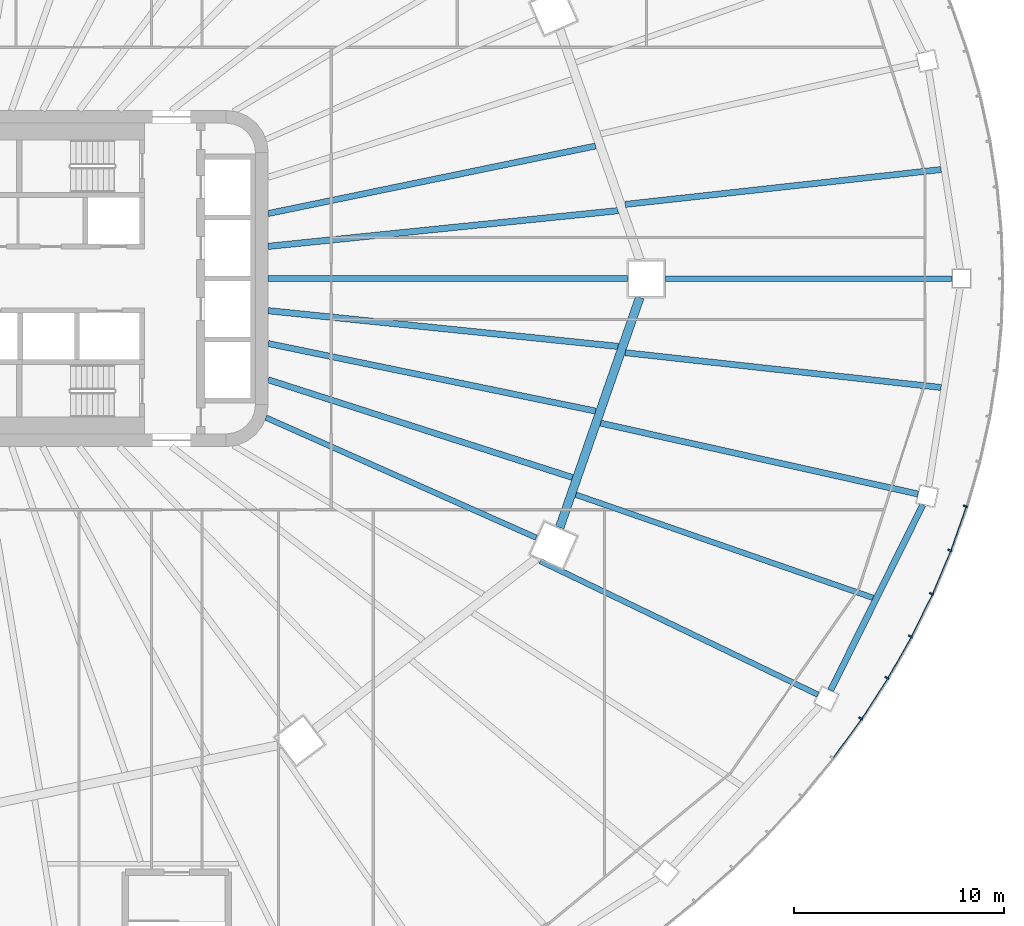
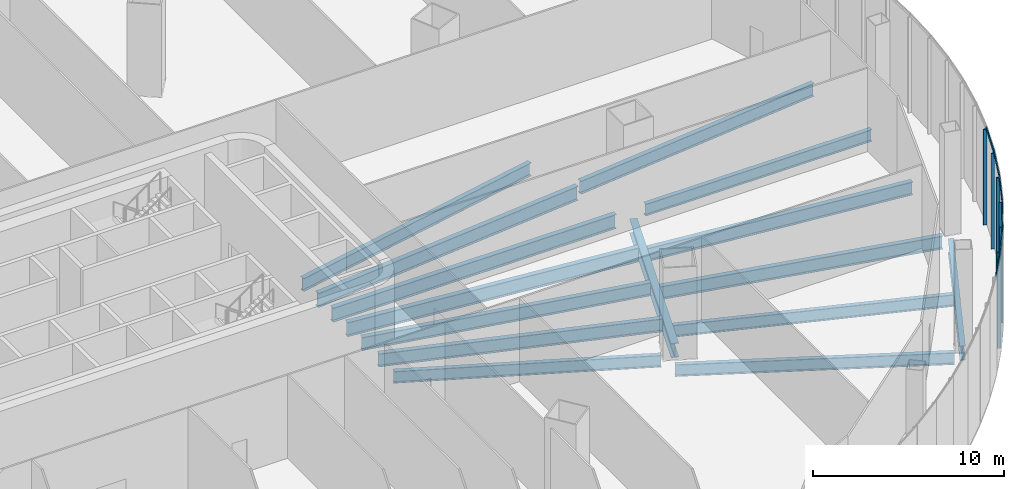
# One storey, part 10 of 33: 15 beams, 12 members, 3 elements without a shape of their own.
"""IFC4 building model written with IfcOpenShell, lengths in metres."""

from ifc_helpers import new_model, si_unit, direction, frame, origin, origin_2d, place, context, subcontext, project, spatial, rectangle, i_section, extrude, material, layer, layer_set, material_profile, profile_set, type_object, element, aggregate, save


model = new_model("IFC4")

# Units and contexts
model_context = context("Model", 3, precision=1e-05, world=origin(), true_north=direction((0.0, 1.0)))
body_context = subcontext(model_context, "Body", "Model", "MODEL_VIEW")
ifc_project = project(units=[si_unit("LENGTHUNIT", "METRE"), si_unit("AREAUNIT", "SQUARE_METRE"), si_unit("VOLUMEUNIT", "CUBIC_METRE"), si_unit("PLANEANGLEUNIT", "RADIAN"), si_unit("MASSUNIT", "GRAM", prefix="KILO")], contexts=[model_context])

# Site, building, storey
site_placement = place(None, origin())
site = spatial("IfcSite", under=ifc_project, at=site_placement, CompositionType="ELEMENT")
building_placement = place(site_placement, origin())
building = spatial("IfcBuilding", under=site, at=building_placement, Name="Sahrelin Media Tower", CompositionType="ELEMENT")
storey_placement = place(building_placement, frame((0.0, 0.0, 37.39990234375)))
storey = spatial("IfcBuildingStorey", under=building, at=storey_placement, Name="L05", CompositionType="ELEMENT", Elevation=37.39990234375)

# Curtain wall, members
ifc_material_1 = material(Name="Champagne anodised aluminium 6063-T6", Category="aluminium")
ifc_layer = layer(ifc_material_1, 0.14990234375)
ifc_layer_set = layer_set([ifc_layer], Name="Podium ribbon curtain wall")
curtain_wall_type = type_object("IfcCurtainWallType", Name="Podium ribbon curtain wall", PredefinedType="NOTDEFINED", material=ifc_layer_set)
curtain_wall_1_placement = place(storey_placement, frame((43.30126953125, -21.0, 0.0), z_axis=(0.0, 0.0, 1.0), x_axis=(1.0, 0.0, 0.0)))
curtain_wall_1 = element("IfcCurtainWall", 1, at=curtain_wall_1_placement, inside=storey, type_object=curtain_wall_type, Name="L05:CW:L05-P22", PredefinedType="NOTDEFINED")
ifc_material_profile_1 = material_profile(ifc_material_1, rectangle(XDim=0.080078125, YDim=0.199951171875, at=origin_2d()), Name="Mullion 80x200")
ifc_profile_set_1 = profile_set([ifc_material_profile_1], Name="Champagne anodised aluminium 6063-T6")
member_type_1 = type_object("IfcMemberType", Name="Mullion 80x200 CW5", PredefinedType="MULLION", material=ifc_profile_set_1)
member_1_placement = place(storey_placement, frame((43.200439453125, -20.934814453125, 0.0), z_axis=(0.0, 0.0, 1.0), x_axis=(0.542830032192, 0.839842578196, 0.0)))
member_1 = element("IfcMember", 2, at=member_1_placement, type_object=member_type_1, Name="L05:CWM1:L05-P22", PredefinedType="MULLION", context=body_context, shape_type="SweptSolid", body=[
    extrude(rectangle(XDim=0.080078125, YDim=0.199951171875, at=origin_2d()), origin(), (0.0, 0.0, 1.0), 6.10009765625),
])
member_2_placement = place(storey_placement, frame((44.446044921875, -19.00830078125, 0.0), z_axis=(0.0, 0.0, 1.0), x_axis=(0.493787068155, 0.869582849028, 0.0)))
member_2 = element("IfcMember", 3, at=member_2_placement, type_object=member_type_1, Name="L05:CWM2:L05-P22", PredefinedType="MULLION", context=body_context, shape_type="SweptSolid", body=[
    extrude(rectangle(XDim=0.080078125, YDim=0.199951171875, at=origin_2d()), origin(), (0.0, 0.0, 1.0), 6.10009765625),
])
member_3_placement = place(storey_placement, frame((45.569580078125, -17.02978515625, 0.0), z_axis=(0.0, 0.0, 1.0), x_axis=(0.442262079274, 0.896885864108, 0.0)))
member_3 = element("IfcMember", 4, at=member_3_placement, type_object=member_type_1, Name="L05:CWM3:L05-P22", PredefinedType="MULLION", context=body_context, shape_type="SweptSolid", body=[
    extrude(rectangle(XDim=0.080078125, YDim=0.199951171875, at=origin_2d()), origin(), (0.0, 0.0, 1.0), 6.10009765625),
])
member_4_placement = place(storey_placement, frame((46.568359375, -15.0048828125, 0.0), z_axis=(0.0, 0.0, 1.0), x_axis=(0.388450189752, 0.921469722824, 0.0)))
member_4 = element("IfcMember", 5, at=member_4_placement, type_object=member_type_1, Name="L05:CWM4:L05-P22", PredefinedType="MULLION", context=body_context, shape_type="SweptSolid", body=[
    extrude(rectangle(XDim=0.080078125, YDim=0.199951171875, at=origin_2d()), origin(), (0.0, 0.0, 1.0), 6.10009765625),
])
member_5_placement = place(storey_placement, frame((47.439697265625, -12.938720703125, 0.0), z_axis=(0.0, 0.0, 1.0), x_axis=(0.332579242691, 0.943075313711, 0.0)))
member_5 = element("IfcMember", 6, at=member_5_placement, type_object=member_type_1, Name="L05:CWM5:L05-P22", PredefinedType="MULLION", context=body_context, shape_type="SweptSolid", body=[
    extrude(rectangle(XDim=0.080078125, YDim=0.199951171875, at=origin_2d()), origin(), (0.0, 0.0, 1.0), 6.10009765625),
])

# Curtain wall, member
curtain_wall_2_placement = place(storey_placement, frame((48.29638671875, -10.870361328125, 0.0), z_axis=(0.0, 0.0, 1.0), x_axis=(1.0, 0.0, 0.0)))
curtain_wall_2 = element("IfcCurtainWall", 7, at=curtain_wall_2_placement, inside=storey, type_object=curtain_wall_type, Name="L05:CW:L05-P23", PredefinedType="NOTDEFINED")
member_6_placement = place(storey_placement, frame((48.180908203125, -10.83740234375, 0.0), z_axis=(0.0, 0.0, 1.0), x_axis=(0.274810138831, 0.961498511489, 0.0)))
member_6 = element("IfcMember", 8, at=member_6_placement, type_object=member_type_1, Name="L05:CWM1:L05-P23", PredefinedType="MULLION", context=body_context, shape_type="SweptSolid", body=[
    extrude(rectangle(XDim=0.080078125, YDim=0.199951171875, at=origin_2d()), origin(), (0.0, 0.0, 1.0), 6.10009765625),
])
aggregate(curtain_wall_2, [member_6])

# Beams
ifc_material_2 = material(Name="Steel S355", Category="steel")
ifc_material_profile_2 = material_profile(ifc_material_2, i_section(OverallWidth=0.30322265625, OverallDepth=0.903076171875, WebThickness=0.01513671875, FlangeThickness=0.020263671875, FilletRadius=0.01904296875, at=origin_2d()), Name="UB 914x305x201")
ifc_profile_set_2 = profile_set([ifc_material_profile_2], Name="Steel S355")
beam_type_1 = type_object("IfcBeamType", Name="Podium edge girder PE11", PredefinedType="BEAM", material=ifc_profile_set_2)
beam_1_placement = place(storey_placement, frame((41.76953125, -19.596923828125, -0.6513671875), z_axis=(0.445112588569, 0.895474613541, 0.0), x_axis=(-0.895474613541, 0.445112588569, 0.0)))
element("IfcBeam", 9, at=beam_1_placement, inside=storey, type_object=beam_type_1, Name="Podium edge girder L05-23", PredefinedType="BEAM", context=body_context, shape_type="SweptSolid", body=[
    extrude(i_section(OverallWidth=0.30322265625, OverallDepth=0.903076171875, WebThickness=0.01513671875, FlangeThickness=0.020263671875, FilletRadius=0.01904296875, at=origin_2d()), origin(), (0.0, 0.0, 1.0), 9.859619140625),
])
ifc_material_profile_3 = material_profile(ifc_material_2, i_section(OverallWidth=0.41845703125, OverallDepth=0.911865234375, WebThickness=0.019287109375, FlangeThickness=0.031982421875, FilletRadius=0.024169921875, at=origin_2d()), Name="UB 914x419x343")
ifc_profile_set_3 = profile_set([ifc_material_profile_3], Name="Steel S355")
beam_type_2 = type_object("IfcBeamType", Name="Podium ring girder PG12", PredefinedType="BEAM", material=ifc_profile_set_3)
beam_2_placement = place(storey_placement, frame((28.875732421875, -11.84716796875, -0.65576171875), z_axis=(0.328773851324, 0.944408679908, 0.0), x_axis=(-0.944408679908, 0.328773851324, 0.0)))
element("IfcBeam", 10, at=beam_2_placement, inside=storey, type_object=beam_type_2, Name="Podium girder L05-12", PredefinedType="BEAM", context=body_context, shape_type="SweptSolid", body=[
    extrude(i_section(OverallWidth=0.41845703125, OverallDepth=0.911865234375, WebThickness=0.019287109375, FlangeThickness=0.031982421875, FilletRadius=0.024169921875, at=origin_2d()), origin(), (0.0, 0.0, 1.0), 11.591552734375),
])
ifc_material_profile_4 = material_profile(ifc_material_2, i_section(OverallWidth=0.291748046875, OverallDepth=0.8349609375, WebThickness=0.013916015625, FlangeThickness=0.018798828125, FilletRadius=0.017822265625, at=origin_2d()), Name="UB 838x292x176")
ifc_profile_set_4 = profile_set([ifc_material_profile_4], Name="Steel S355")
beam_type_3 = type_object("IfcBeamType", Name="Radial primary beam PB10", PredefinedType="BEAM", material=ifc_profile_set_4)
for number, where, z_axis, x_axis, name in (
    (11, (15.0, 3.093505859375, -0.617431640625), (0.979386832716, 0.201993643221, 0.0), (-0.201993643221, 0.979386832716, 0.0), "Radial beam L05-02"),
    (12, (15.0, -3.093505859375, -0.617431640625), (0.979386832716, -0.201993643221, 0.0), (0.201993643221, 0.979386832716, 0.0), "Radial beam L05-24"),
):
    element("IfcBeam", number, at=place(storey_placement, frame(where, z_axis=z_axis, x_axis=x_axis)), inside=storey, type_object=beam_type_3, Name=name, PredefinedType="BEAM", context=body_context, shape_type="SweptSolid", body=[
        extrude(i_section(OverallWidth=0.291748046875, OverallDepth=0.8349609375, WebThickness=0.013916015625, FlangeThickness=0.018798828125, FilletRadius=0.017822265625, at=origin_2d()), origin(), (0.0, 0.0, 1.0), 15.91064453125),
    ])
beam_3_placement = place(storey_placement, frame((30.825439453125, -6.883056640625, -0.617431640625), z_axis=(0.975966755314, -0.217919463385, 0.0), x_axis=(0.217919463385, 0.975966755314, 0.0)))
element("IfcBeam", 13, at=beam_3_placement, inside=storey, type_object=beam_type_3, Name="Radial beam L05-28", PredefinedType="BEAM", context=body_context, shape_type="SweptSolid", body=[
    extrude(i_section(OverallWidth=0.291748046875, OverallDepth=0.8349609375, WebThickness=0.013916015625, FlangeThickness=0.018798828125, FilletRadius=0.017822265625, at=origin_2d()), origin(), (0.0, 0.0, 1.0), 15.4716796875),
])
ifc_material_profile_5 = material_profile(ifc_material_2, i_section(OverallWidth=0.30322265625, OverallDepth=0.903076171875, WebThickness=0.01513671875, FlangeThickness=0.020263671875, FilletRadius=0.01904296875, at=origin_2d()), Name="UB 914x305x201")
ifc_profile_set_5 = profile_set([ifc_material_profile_5], Name="Steel S355")
beam_type_4 = type_object("IfcBeamType", Name="Radial primary beam PB11", PredefinedType="BEAM", material=ifc_profile_set_5)
beam_4_placement = place(storey_placement, frame((15.0, 0.0, -0.6513671875), z_axis=(1.0, 0.0, 0.0), x_axis=(0.0, 1.0, 0.0)))
element("IfcBeam", 14, at=beam_4_placement, inside=storey, type_object=beam_type_4, Name="Radial beam L05-01", PredefinedType="BEAM", context=body_context, shape_type="SweptSolid", body=[
    extrude(i_section(OverallWidth=0.30322265625, OverallDepth=0.903076171875, WebThickness=0.01513671875, FlangeThickness=0.020263671875, FilletRadius=0.01904296875, at=origin_2d()), origin(), (0.0, 0.0, 1.0), 17.10009765625),
])
ifc_material_profile_6 = material_profile(ifc_material_2, i_section(OverallWidth=0.26513671875, OverallDepth=0.75390625, WebThickness=0.0126953125, FlangeThickness=0.017578125, FilletRadius=0.0166015625, at=origin_2d()), Name="UB 762x267x147")
ifc_profile_set_6 = profile_set([ifc_material_profile_6], Name="Steel S355")
beam_type_5 = type_object("IfcBeamType", Name="Radial primary beam PB9", PredefinedType="BEAM", material=ifc_profile_set_6)
beam_5_placement = place(storey_placement, frame((14.890625, -6.6171875, -0.576904296875), z_axis=(0.913833000058, -0.406090196883, 0.0), x_axis=(0.406090196883, 0.913833000058, 0.0)))
element("IfcBeam", 15, at=beam_5_placement, inside=storey, type_object=beam_type_5, Name="Radial beam L05-23", PredefinedType="BEAM", context=body_context, shape_type="SweptSolid", body=[
    extrude(i_section(OverallWidth=0.26513671875, OverallDepth=0.75390625, WebThickness=0.0126953125, FlangeThickness=0.017578125, FilletRadius=0.0166015625, at=origin_2d()), origin(), (0.0, 0.0, 1.0), 14.078857421875),
])
beam_6_placement = place(storey_placement, frame((33.89990234375, 0.0, -0.576904296875), z_axis=(1.0, 0.0, 0.0), x_axis=(0.0, 1.0, 0.0)))
element("IfcBeam", 16, at=beam_6_placement, inside=storey, type_object=beam_type_5, Name="Radial beam L05-01", PredefinedType="BEAM", context=body_context, shape_type="SweptSolid", body=[
    extrude(i_section(OverallWidth=0.26513671875, OverallDepth=0.75390625, WebThickness=0.0126953125, FlangeThickness=0.017578125, FilletRadius=0.0166015625, at=origin_2d()), origin(), (0.0, 0.0, 1.0), 13.650146484375),
])
beam_7_placement = place(storey_placement, frame((27.950439453125, -13.44775390625, -0.576904296875), z_axis=(0.901130102072, -0.433548773657, 0.0), x_axis=(0.433548773657, 0.901130102072, 0.0)))
element("IfcBeam", 17, at=beam_7_placement, inside=storey, type_object=beam_type_5, Name="Radial beam L05-27", PredefinedType="BEAM", context=body_context, shape_type="SweptSolid", body=[
    extrude(i_section(OverallWidth=0.26513671875, OverallDepth=0.75390625, WebThickness=0.0126953125, FlangeThickness=0.017578125, FilletRadius=0.0166015625, at=origin_2d()), origin(), (0.0, 0.0, 1.0), 14.6630859375),
])
ifc_material_profile_7 = material_profile(ifc_material_2, i_section(OverallWidth=0.291748046875, OverallDepth=0.8349609375, WebThickness=0.013916015625, FlangeThickness=0.018798828125, FilletRadius=0.017822265625, at=origin_2d()), Name="UB 838x292x176")
ifc_profile_set_7 = profile_set([ifc_material_profile_7], Name="Steel S355")
beam_type_6 = type_object("IfcBeamType", Name="Radial secondary beam SB10", PredefinedType="BEAM", material=ifc_profile_set_7)
beam_8_placement = place(storey_placement, frame((15.0, -4.81787109375, -0.617431640625), z_axis=(0.952096340592, -0.305798231244, 0.0), x_axis=(0.305798231244, 0.952096340592, 0.0)))
element("IfcBeam", 18, at=beam_8_placement, inside=storey, type_object=beam_type_6, Name="Secondary beam L05-23", PredefinedType="BEAM", context=body_context, shape_type="SweptSolid", body=[
    extrude(i_section(OverallWidth=0.291748046875, OverallDepth=0.8349609375, WebThickness=0.013916015625, FlangeThickness=0.018798828125, FilletRadius=0.017822265625, at=origin_2d()), origin(), (0.0, 0.0, 1.0), 15.210693359375),
])
for number, where, z_axis, x_axis, name in (
    (19, (31.9931640625, 3.528564453125, -0.617431640625), (0.993973950123, 0.109616542901, 0.0), (-0.109616542901, 0.993973950123, 0.0), "Secondary beam L05-01"),
    (20, (31.9931640625, -3.528564453125, -0.617431640625), (0.993973950123, -0.109616542901, 0.0), (0.109616542901, 0.993973950123, 0.0), "Secondary beam L05-24"),
):
    element("IfcBeam", number, at=place(storey_placement, frame(where, z_axis=z_axis, x_axis=x_axis)), inside=storey, type_object=beam_type_6, Name=name, PredefinedType="BEAM", context=body_context, shape_type="SweptSolid", body=[
        extrude(i_section(OverallWidth=0.291748046875, OverallDepth=0.8349609375, WebThickness=0.013916015625, FlangeThickness=0.018798828125, FilletRadius=0.017822265625, at=origin_2d()), origin(), (0.0, 0.0, 1.0), 15.125),
    ])
ifc_material_profile_8 = material_profile(ifc_material_2, i_section(OverallWidth=0.30322265625, OverallDepth=0.903076171875, WebThickness=0.01513671875, FlangeThickness=0.020263671875, FilletRadius=0.01904296875, at=origin_2d()), Name="UB 914x305x201")
ifc_profile_set_8 = profile_set([ifc_material_profile_8], Name="Steel S355")
beam_type_7 = type_object("IfcBeamType", Name="Radial secondary beam SB11", PredefinedType="BEAM", material=ifc_profile_set_8)
for number, where, z_axis, x_axis, name in (
    (21, (15.0, 1.53076171875, -0.6513671875), (0.994833571419, 0.10151928476, 0.0), (-0.10151928476, 0.994833571419, 0.0), "Secondary beam L05-01"),
    (22, (15.0, -1.53076171875, -0.6513671875), (0.994833571419, -0.10151928476, 0.0), (0.10151928476, 0.994833571419, 0.0), "Secondary beam L05-24"),
):
    element("IfcBeam", number, at=place(storey_placement, frame(where, z_axis=z_axis, x_axis=x_axis)), inside=storey, type_object=beam_type_7, Name=name, PredefinedType="BEAM", context=body_context, shape_type="SweptSolid", body=[
        extrude(i_section(OverallWidth=0.30322265625, OverallDepth=0.903076171875, WebThickness=0.01513671875, FlangeThickness=0.020263671875, FilletRadius=0.01904296875, at=origin_2d()), origin(), (0.0, 0.0, 1.0), 16.740234375),
    ])
ifc_material_profile_9 = material_profile(ifc_material_2, i_section(OverallWidth=0.26513671875, OverallDepth=0.75390625, WebThickness=0.0126953125, FlangeThickness=0.017578125, FilletRadius=0.0166015625, at=origin_2d()), Name="UB 762x267x147")
ifc_profile_set_9 = profile_set([ifc_material_profile_9], Name="Steel S355")
beam_type_8 = type_object("IfcBeamType", Name="Radial secondary beam SB9", PredefinedType="BEAM", material=ifc_profile_set_9)
beam_9_placement = place(storey_placement, frame((29.640380859375, -10.287109375, -0.576904296875), z_axis=(0.944713020182, -0.32789832189, 0.0), x_axis=(0.32789832189, 0.944713020182, 0.0)))
element("IfcBeam", 23, at=beam_9_placement, inside=storey, type_object=beam_type_8, Name="Secondary beam L05-23", PredefinedType="BEAM", context=body_context, shape_type="SweptSolid", body=[
    extrude(i_section(OverallWidth=0.26513671875, OverallDepth=0.75390625, WebThickness=0.0126953125, FlangeThickness=0.017578125, FilletRadius=0.0166015625, at=origin_2d()), origin(), (0.0, 0.0, 1.0), 14.974609375),
])

# Curtain wall, member
curtain_wall_3_placement = place(storey_placement, frame((35.355224609375, -29.698486328125, 0.0), z_axis=(0.0, 0.0, 1.0), x_axis=(1.0, 0.0, 0.0)))
curtain_wall_3 = element("IfcCurtainWall", 24, at=curtain_wall_3_placement, inside=storey, type_object=curtain_wall_type, Name="L05:CW:L05-P21", PredefinedType="NOTDEFINED")
ifc_material_profile_10 = material_profile(ifc_material_1, rectangle(XDim=0.06005859375, YDim=0.14990234375, at=origin_2d()), Name="Transom 60x150")
ifc_profile_set_10 = profile_set([ifc_material_profile_10], Name="Champagne anodised aluminium 6063-T6")
member_type_2 = type_object("IfcMemberType", Name="Transom 60x150 CW5", PredefinedType="USERDEFINED", material=ifc_profile_set_10)
member_7_placement = place(storey_placement, frame((41.922607421875, -22.804931640625, 6.175048828125), z_axis=(0.589385639376, 0.807851823107, 0.0), x_axis=(-0.807851823107, 0.589385639376, 0.0)))
member_7 = element("IfcMember", 25, at=member_7_placement, type_object=member_type_2, Name="L05:CWT5a:L05-P21", ObjectType="TRANSOM", PredefinedType="USERDEFINED", context=body_context, shape_type="SweptSolid", body=[
    extrude(rectangle(XDim=0.06005859375, YDim=0.14990234375, at=origin_2d()), origin(), (0.0, 0.0, 1.0), 2.270751953125),
])
aggregate(curtain_wall_3, [member_7])

# Member
member_8_placement = place(storey_placement, frame((43.286376953125, -20.930908203125, 6.175048828125), z_axis=(0.542855461476, 0.8398261415, 0.0), x_axis=(-0.8398261415, 0.542855461476, 0.0)))
member_8 = element("IfcMember", 26, at=member_8_placement, type_object=member_type_2, Name="L05:CWT1a:L05-P22", ObjectType="TRANSOM", PredefinedType="USERDEFINED", context=body_context, shape_type="SweptSolid", body=[
    extrude(rectangle(XDim=0.06005859375, YDim=0.14990234375, at=origin_2d()), origin(), (0.0, 0.0, 1.0), 2.2509765625),
])

member_9_placement = place(storey_placement, frame((44.531494140625, -18.99951171875, 6.175048828125), z_axis=(0.49374634774, 0.869605970594, 0.0), x_axis=(-0.869605970594, 0.49374634774, 0.0)))
member_9 = element("IfcMember", 27, at=member_9_placement, type_object=member_type_2, Name="L05:CWT2a:L05-P22", ObjectType="TRANSOM", PredefinedType="USERDEFINED", context=body_context, shape_type="SweptSolid", body=[
    extrude(rectangle(XDim=0.06005859375, YDim=0.14990234375, at=origin_2d()), origin(), (0.0, 0.0, 1.0), 2.232421875),
])

member_10_placement = place(storey_placement, frame((45.654541015625, -17.015869140625, 6.175048828125), z_axis=(0.442313130509, 0.896860688501, 0.0), x_axis=(-0.896860688501, 0.442313130509, 0.0)))
member_10 = element("IfcMember", 28, at=member_10_placement, type_object=member_type_2, Name="L05:CWT3a:L05-P22", ObjectType="TRANSOM", PredefinedType="USERDEFINED", context=body_context, shape_type="SweptSolid", body=[
    extrude(rectangle(XDim=0.06005859375, YDim=0.14990234375, at=origin_2d()), origin(), (0.0, 0.0, 1.0), 2.215087890625),
])

member_11_placement = place(storey_placement, frame((46.65234375, -14.986083984375, 6.175048828125), z_axis=(0.388379521363, 0.921499510247, 0.0), x_axis=(-0.921499510247, 0.388379521363, 0.0)))
member_11 = element("IfcMember", 29, at=member_11_placement, type_object=member_type_2, Name="L05:CWT4a:L05-P22", ObjectType="TRANSOM", PredefinedType="USERDEFINED", context=body_context, shape_type="SweptSolid", body=[
    extrude(rectangle(XDim=0.06005859375, YDim=0.14990234375, at=origin_2d()), origin(), (0.0, 0.0, 1.0), 2.199462890625),
])

member_12_placement = place(storey_placement, frame((47.522216796875, -12.914794921875, 6.175048828125), z_axis=(0.332568838179, 0.943078982839, 0.0), x_axis=(-0.943078982839, 0.332568838179, 0.0)))
member_12 = element("IfcMember", 30, at=member_12_placement, type_object=member_type_2, Name="L05:CWT5a:L05-P22", ObjectType="TRANSOM", PredefinedType="USERDEFINED", context=body_context, shape_type="SweptSolid", body=[
    extrude(rectangle(XDim=0.06005859375, YDim=0.14990234375, at=origin_2d()), origin(), (0.0, 0.0, 1.0), 2.185546875),
])

aggregate(curtain_wall_1, [member_1, member_8, member_2, member_9, member_3, member_10, member_4, member_11, member_5, member_12])

save(model, "model.ifc")
